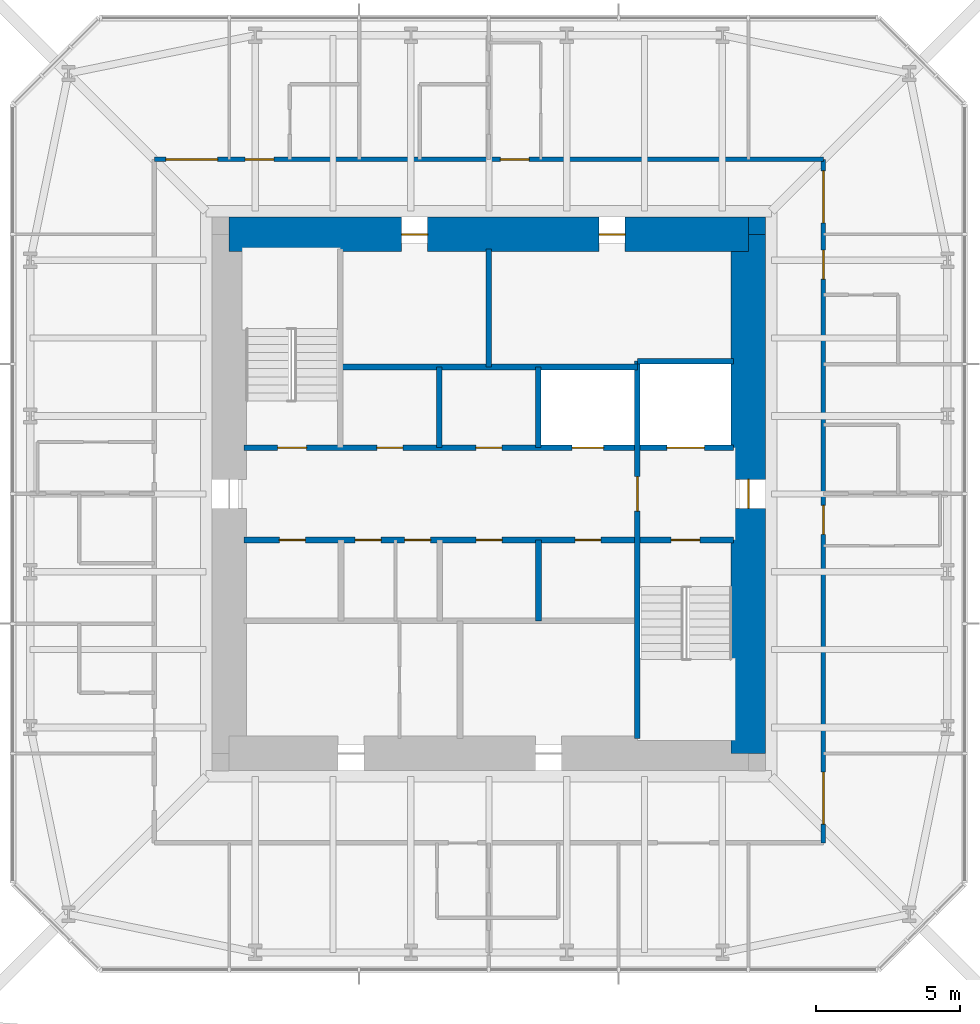
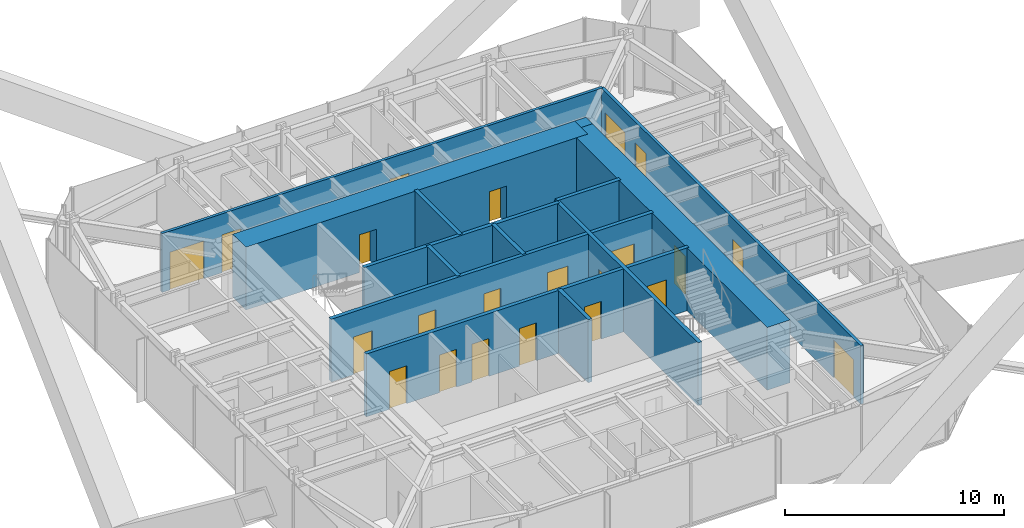
# One storey, part 9 of 11: 22 doors, 14 walls, 22 openings.
"""IFC4 building model written with IfcOpenShell, lengths in metres."""

from ifc_helpers import new_model, si_unit, direction, frame, frame_2d, origin, place, context, subcontext, project, spatial, rectangle, extrude, material, layer, layer_set, type_object, element, fill, save


model = new_model("IFC4")

# Units and contexts
model_context = context("Model", 3, precision=1e-05, world=origin(), true_north=direction((0.0, 1.0)))
body_context = subcontext(model_context, "Body", "Model", "MODEL_VIEW")
ifc_project = project(units=[si_unit("LENGTHUNIT", "METRE"), si_unit("AREAUNIT", "SQUARE_METRE"), si_unit("VOLUMEUNIT", "CUBIC_METRE"), si_unit("PLANEANGLEUNIT", "RADIAN"), si_unit("MASSUNIT", "GRAM", prefix="KILO")], contexts=[model_context])

# Site, building, storey
site_placement = place(None, origin())
site = spatial("IfcSite", under=ifc_project, at=site_placement, CompositionType="ELEMENT")
building_placement = place(site_placement, origin())
building = spatial("IfcBuilding", under=site, at=building_placement, Name="Iwan Alto Co-Living Towers", CompositionType="ELEMENT")
storey_placement = place(building_placement, frame((0.0, 0.0, 229.0)))
storey = spatial("IfcBuildingStorey", under=building, at=storey_placement, Name="L62", CompositionType="ELEMENT", Elevation=229.0)

# Wall, openings, doors
ifc_material_1 = material(Name="Gypsum board")
ifc_layer_1 = layer(ifc_material_1, 0.02490234375, Name="Board", Category="Finish")
ifc_material_2 = material(Name="Steel ASTM A1003 ST33H cold-formed studs", Category="steel")
ifc_layer_2 = layer(ifc_material_2, 0.10009765625, Name="Studs", Category="Framing")
ifc_layer_3 = layer(ifc_material_1, 0.02490234375, Name="Board", Category="Finish")
ifc_layer_set_1 = layer_set([ifc_layer_1, ifc_layer_2, ifc_layer_3], Name="CORRIDOR WALL 150")
wall_type_1 = type_object("IfcWallType", Name="CORRIDOR WALL 150", PredefinedType="PARTITIONING", material=ifc_layer_set_1)
wall_1_placement = place(storey_placement, frame((-11.60009765625, 11.60009765625, 0.0), z_axis=(0.0, 0.0, 1.0), x_axis=(1.0, 0.0, 0.0)))
wall_1 = element("IfcWall", 1, at=wall_1_placement, inside=storey, type_object=wall_type_1, Name="Partition L62", PredefinedType="PARTITIONING", context=body_context, shape_type="SweptSolid", body=[
    extrude(rectangle(XDim=23.2001953125, YDim=0.14990234375, at=frame_2d((11.60009765625, 0.0))), origin(), (0.0, 0.0, 1.0), 3.27001953125),
])
opening_1_placement = place(wall_1_placement, frame((12.0, 0.0, 0.0)))
opening_1 = element("IfcOpeningElement", 2, at=opening_1_placement, cuts=wall_1, Name="Opening D3", PredefinedType="OPENING", context=body_context, shape_type="SweptSolid", body=[
    extrude(rectangle(XDim=1.0, YDim=2.10009765625, at=frame_2d((0.5, 1.050048828125))), frame((0.0, 0.0849609375, 0.0), z_axis=(0.0, -1.0, 0.0), x_axis=(1.0, 0.0, 0.0)), (0.0, 0.0, 1.0), 0.169921875),
])
opening_2_placement = place(wall_1_placement, frame((3.14990234375, 0.0, 0.0)))
opening_2 = element("IfcOpeningElement", 3, at=opening_2_placement, cuts=wall_1, Name="Opening D3", PredefinedType="OPENING", context=body_context, shape_type="SweptSolid", body=[
    extrude(rectangle(XDim=1.0, YDim=2.10009765625, at=frame_2d((0.5, 1.050048828125))), frame((0.0, 0.0849609375, 0.0), z_axis=(0.0, -1.0, 0.0), x_axis=(1.0, 0.0, 0.0)), (0.0, 0.0, 1.0), 0.169921875),
])
opening_3_placement = place(wall_1_placement, frame((0.39990234375, 0.0, 0.0)))
opening_3 = element("IfcOpeningElement", 4, at=opening_3_placement, cuts=wall_1, Name="Opening D9", PredefinedType="OPENING", context=body_context, shape_type="SweptSolid", body=[
    extrude(rectangle(XDim=1.800048828125, YDim=2.10009765625, at=frame_2d((0.89990234375, 1.050048828125))), frame((0.0, 0.0849609375, 0.0), z_axis=(0.0, -1.0, 0.0), x_axis=(1.0, 0.0, 0.0)), (0.0, 0.0, 1.0), 0.169921875),
])
ifc_material_3 = material(Name="Steel frame with timber leaf", Category="steel")
door_type_1 = type_object("IfcDoorType", Name="FLAT ENTRANCE DOOR FD30S 1000X2100", OperationType="SINGLE_SWING_LEFT", PredefinedType="DOOR", material=ifc_material_3)
door_1_placement = place(opening_1_placement, origin())
door_1 = element("IfcDoor", 5, at=door_1_placement, inside=storey, type_object=door_type_1, Name="Apartment foyer door L62", OperationType="SINGLE_SWING_LEFT", OverallHeight=2.10009765625, OverallWidth=1.0, PredefinedType="DOOR", context=body_context, shape_type="SweptSolid", body=[
    extrude(rectangle(XDim=1.0, YDim=2.10009765625, at=frame_2d((0.5, 1.050048828125))), frame((0.0, 0.02490234375, 0.0), z_axis=(0.0, -1.0, 0.0), x_axis=(1.0, 0.0, 0.0)), (0.0, 0.0, 1.0), 0.050048828125),
])
fill(opening_1, door_1)
door_2_placement = place(opening_2_placement, origin())
door_2 = element("IfcDoor", 6, at=door_2_placement, inside=storey, type_object=door_type_1, Name="Studio door L62", OperationType="SINGLE_SWING_LEFT", OverallHeight=2.10009765625, OverallWidth=1.0, PredefinedType="DOOR", context=body_context, shape_type="SweptSolid", body=[
    extrude(rectangle(XDim=1.0, YDim=2.10009765625, at=frame_2d((0.5, 1.050048828125))), frame((0.0, 0.02490234375, 0.0), z_axis=(0.0, -1.0, 0.0), x_axis=(1.0, 0.0, 0.0)), (0.0, 0.0, 1.0), 0.050048828125),
])
fill(opening_2, door_2)
ifc_material_4 = material(Name="Steel frame with timber leaf", Category="steel")
door_type_2 = type_object("IfcDoorType", Name="LOUNGE DOOR FD30S 1800X2100", OperationType="DOUBLE_DOOR_SINGLE_SWING", PredefinedType="DOOR", material=ifc_material_4)
door_3_placement = place(opening_3_placement, origin())
door_3 = element("IfcDoor", 7, at=door_3_placement, inside=storey, type_object=door_type_2, Name="Courtyard lounge door L62", OperationType="DOUBLE_DOOR_SINGLE_SWING", OverallHeight=2.10009765625, OverallWidth=1.800048828125, PredefinedType="DOOR", context=body_context, shape_type="SweptSolid", body=[
    extrude(rectangle(XDim=1.800048828125, YDim=2.10009765625, at=frame_2d((0.89990234375, 1.050048828125))), frame((0.0, 0.02490234375, 0.0), z_axis=(0.0, -1.0, 0.0), x_axis=(1.0, 0.0, 0.0)), (0.0, 0.0, 1.0), 0.050048828125),
])
fill(opening_3, door_3)

wall_2_placement = place(storey_placement, frame((11.60009765625, -12.10009765625, 0.0), z_axis=(0.0, 0.0, 1.0), x_axis=(0.0, 1.0, 0.0)))
wall_2 = element("IfcWall", 8, at=wall_2_placement, inside=storey, type_object=wall_type_1, Name="Partition L62", PredefinedType="PARTITIONING", context=body_context, shape_type="SweptSolid", body=[
    extrude(rectangle(XDim=23.7001953125, YDim=0.14990234375, at=frame_2d((11.85009765625, 0.0))), origin(), (0.0, 0.0, 1.0), 3.27001953125),
])
opening_4_placement = place(wall_2_placement, frame((10.699951171875, 0.0, 0.0)))
opening_4 = element("IfcOpeningElement", 9, at=opening_4_placement, cuts=wall_2, Name="Opening D3", PredefinedType="OPENING", context=body_context, shape_type="SweptSolid", body=[
    extrude(rectangle(XDim=1.0, YDim=2.10009765625, at=frame_2d((0.5, 1.050048828125))), frame((0.0, 0.0849609375, 0.0), z_axis=(0.0, -1.0, 0.0), x_axis=(1.0, 0.0, 0.0)), (0.0, 0.0, 1.0), 0.169921875),
])
opening_5_placement = place(wall_2_placement, frame((19.550048828125, 0.0, 0.0)))
opening_5 = element("IfcOpeningElement", 10, at=opening_5_placement, cuts=wall_2, Name="Opening D3", PredefinedType="OPENING", context=body_context, shape_type="SweptSolid", body=[
    extrude(rectangle(XDim=1.0, YDim=2.10009765625, at=frame_2d((0.5, 1.050048828125))), frame((0.0, 0.0849609375, 0.0), z_axis=(0.0, -1.0, 0.0), x_axis=(1.0, 0.0, 0.0)), (0.0, 0.0, 1.0), 0.169921875),
])
opening_6_placement = place(wall_2_placement, frame((21.5, 0.0, 0.0)))
opening_6 = element("IfcOpeningElement", 11, at=opening_6_placement, cuts=wall_2, Name="Opening D9", PredefinedType="OPENING", context=body_context, shape_type="SweptSolid", body=[
    extrude(rectangle(XDim=1.800048828125, YDim=2.10009765625, at=frame_2d((0.89990234375, 1.050048828125))), frame((0.0, 0.0849609375, 0.0), z_axis=(0.0, -1.0, 0.0), x_axis=(1.0, 0.0, 0.0)), (0.0, 0.0, 1.0), 0.169921875),
])
opening_7_placement = place(wall_2_placement, frame((0.64990234375, 0.0, 0.0)))
opening_7 = element("IfcOpeningElement", 12, at=opening_7_placement, cuts=wall_2, Name="Opening D9", PredefinedType="OPENING", context=body_context, shape_type="SweptSolid", body=[
    extrude(rectangle(XDim=1.800048828125, YDim=2.10009765625, at=frame_2d((0.89990234375, 1.050048828125))), frame((0.0, 0.0849609375, 0.0), z_axis=(0.0, -1.0, 0.0), x_axis=(1.0, 0.0, 0.0)), (0.0, 0.0, 1.0), 0.169921875),
])
door_4_placement = place(opening_4_placement, frame((1.0, 0.0, 0.0), z_axis=(0.0, 0.0, 1.0), x_axis=(-1.0, 0.0, 0.0)))
door_4 = element("IfcDoor", 13, at=door_4_placement, inside=storey, type_object=door_type_1, Name="Apartment foyer door L62", OperationType="SINGLE_SWING_RIGHT", OverallHeight=2.10009765625, OverallWidth=1.0, PredefinedType="DOOR", context=body_context, shape_type="SweptSolid", body=[
    extrude(rectangle(XDim=1.0, YDim=2.10009765625, at=frame_2d((0.5, 1.050048828125))), frame((0.0, 0.02490234375, 0.0), z_axis=(0.0, -1.0, 0.0), x_axis=(1.0, 0.0, 0.0)), (0.0, 0.0, 1.0), 0.050048828125),
])
fill(opening_4, door_4)
door_5_placement = place(opening_5_placement, frame((1.0, 0.0, 0.0), z_axis=(0.0, 0.0, 1.0), x_axis=(-1.0, 0.0, 0.0)))
door_5 = element("IfcDoor", 14, at=door_5_placement, inside=storey, type_object=door_type_1, Name="Studio door L62", OperationType="SINGLE_SWING_RIGHT", OverallHeight=2.10009765625, OverallWidth=1.0, PredefinedType="DOOR", context=body_context, shape_type="SweptSolid", body=[
    extrude(rectangle(XDim=1.0, YDim=2.10009765625, at=frame_2d((0.5, 1.050048828125))), frame((0.0, 0.02490234375, 0.0), z_axis=(0.0, -1.0, 0.0), x_axis=(1.0, 0.0, 0.0)), (0.0, 0.0, 1.0), 0.050048828125),
])
fill(opening_5, door_5)
door_6_placement = place(opening_6_placement, frame((1.800048828125, 0.0, 0.0), z_axis=(0.0, 0.0, 1.0), x_axis=(-1.0, 0.0, 0.0)))
door_6 = element("IfcDoor", 15, at=door_6_placement, inside=storey, type_object=door_type_2, Name="Study lounge door L62", OperationType="DOUBLE_DOOR_SINGLE_SWING", OverallHeight=2.10009765625, OverallWidth=1.800048828125, PredefinedType="DOOR", context=body_context, shape_type="SweptSolid", body=[
    extrude(rectangle(XDim=1.800048828125, YDim=2.10009765625, at=frame_2d((0.89990234375, 1.050048828125))), frame((0.0, 0.02490234375, 0.0), z_axis=(0.0, -1.0, 0.0), x_axis=(1.0, 0.0, 0.0)), (0.0, 0.0, 1.0), 0.050048828125),
])
fill(opening_6, door_6)
door_7_placement = place(opening_7_placement, frame((1.800048828125, 0.0, 0.0), z_axis=(0.0, 0.0, 1.0), x_axis=(-1.0, 0.0, 0.0)))
door_7 = element("IfcDoor", 16, at=door_7_placement, inside=storey, type_object=door_type_2, Name="Courtyard lounge door L62", OperationType="DOUBLE_DOOR_SINGLE_SWING", OverallHeight=2.10009765625, OverallWidth=1.800048828125, PredefinedType="DOOR", context=body_context, shape_type="SweptSolid", body=[
    extrude(rectangle(XDim=1.800048828125, YDim=2.10009765625, at=frame_2d((0.89990234375, 1.050048828125))), frame((0.0, 0.02490234375, 0.0), z_axis=(0.0, -1.0, 0.0), x_axis=(1.0, 0.0, 0.0)), (0.0, 0.0, 1.0), 0.050048828125),
])
fill(opening_7, door_7)

ifc_material_5 = material(Name="Concrete f'c 70 MPa", Category="concrete")
ifc_layer_4 = layer(ifc_material_5, 0.199951171875)
ifc_layer_set_2 = layer_set([ifc_layer_4], Name="SHAFT WALL 200")
wall_type_2 = type_object("IfcWallType", Name="SHAFT WALL 200", PredefinedType="SOLIDWALL", material=ifc_layer_set_2)
wall_3_placement = place(storey_placement, frame((-8.489990234375, -1.60009765625, 0.0), z_axis=(0.0, 0.0, 1.0), x_axis=(1.0, 0.0, 0.0)))
wall_3 = element("IfcWall", 17, at=wall_3_placement, inside=storey, type_object=wall_type_2, Name="Shaft wall L62", PredefinedType="SOLIDWALL", context=body_context, shape_type="SweptSolid", body=[
    extrude(rectangle(XDim=16.97998046875, YDim=0.199951171875, at=frame_2d((8.489990234375, 0.0))), origin(), (0.0, 0.0, 1.0), 3.5),
])
opening_8_placement = place(wall_3_placement, frame((14.81005859375, 0.0, 0.0)))
opening_8 = element("IfcOpeningElement", 18, at=opening_8_placement, cuts=wall_3, Name="Opening D5", PredefinedType="OPENING", context=body_context, shape_type="SweptSolid", body=[
    extrude(rectangle(XDim=1.0, YDim=2.10009765625, at=frame_2d((0.5, 1.050048828125))), frame((0.0, 0.10986328125, 0.0), z_axis=(0.0, -1.0, 0.0), x_axis=(1.0, 0.0, 0.0)), (0.0, 0.0, 1.0), 0.219970703125),
])
opening_9_placement = place(wall_3_placement, frame((1.23193359375, 0.0, 0.0)))
opening_9 = element("IfcOpeningElement", 19, at=opening_9_placement, cuts=wall_3, Name="Opening D15", PredefinedType="OPENING", context=body_context, shape_type="SweptSolid", body=[
    extrude(rectangle(XDim=0.89990234375, YDim=2.10009765625, at=frame_2d((0.449951171875, 1.050048828125))), frame((0.0, 0.10986328125, 0.0), z_axis=(0.0, -1.0, 0.0), x_axis=(1.0, 0.0, 0.0)), (0.0, 0.0, 1.0), 0.219970703125),
])
opening_10_placement = place(wall_3_placement, frame((5.570068359375, 0.0, 0.0)))
opening_10 = element("IfcOpeningElement", 20, at=opening_10_placement, cuts=wall_3, Name="Opening D15", PredefinedType="OPENING", context=body_context, shape_type="SweptSolid", body=[
    extrude(rectangle(XDim=0.89990234375, YDim=2.10009765625, at=frame_2d((0.449951171875, 1.050048828125))), frame((0.0, 0.10986328125, 0.0), z_axis=(0.0, -1.0, 0.0), x_axis=(1.0, 0.0, 0.0)), (0.0, 0.0, 1.0), 0.219970703125),
])
opening_11_placement = place(wall_3_placement, frame((3.85693359375, 0.0, 0.0)))
opening_11 = element("IfcOpeningElement", 21, at=opening_11_placement, cuts=wall_3, Name="Opening D15", PredefinedType="OPENING", context=body_context, shape_type="SweptSolid", body=[
    extrude(rectangle(XDim=0.89990234375, YDim=2.10009765625, at=frame_2d((0.449951171875, 1.050048828125))), frame((0.0, 0.10986328125, 0.0), z_axis=(0.0, -1.0, 0.0), x_axis=(1.0, 0.0, 0.0)), (0.0, 0.0, 1.0), 0.219970703125),
])
opening_12_placement = place(wall_3_placement, frame((8.052001953125, 0.0, 0.0)))
opening_12 = element("IfcOpeningElement", 22, at=opening_12_placement, cuts=wall_3, Name="Opening D15", PredefinedType="OPENING", context=body_context, shape_type="SweptSolid", body=[
    extrude(rectangle(XDim=0.89990234375, YDim=2.10009765625, at=frame_2d((0.449951171875, 1.050048828125))), frame((0.0, 0.10986328125, 0.0), z_axis=(0.0, -1.0, 0.0), x_axis=(1.0, 0.0, 0.0)), (0.0, 0.0, 1.0), 0.219970703125),
])
opening_13_placement = place(wall_3_placement, frame((11.47802734375, 0.0, 0.0)))
opening_13 = element("IfcOpeningElement", 23, at=opening_13_placement, cuts=wall_3, Name="Opening D15", PredefinedType="OPENING", context=body_context, shape_type="SweptSolid", body=[
    extrude(rectangle(XDim=0.89990234375, YDim=2.10009765625, at=frame_2d((0.449951171875, 1.050048828125))), frame((0.0, 0.10986328125, 0.0), z_axis=(0.0, -1.0, 0.0), x_axis=(1.0, 0.0, 0.0)), (0.0, 0.0, 1.0), 0.219970703125),
])
ifc_material_6 = material(Name="Steel frame with timber leaf", Category="steel")
door_type_3 = type_object("IfcDoorType", Name="CORE ROOM DOOR FD60S 900X2100", OperationType="SINGLE_SWING_LEFT", PredefinedType="DOOR", material=ifc_material_6)
door_8_placement = place(opening_9_placement, frame((0.89990234375, 0.0, 0.0), z_axis=(0.0, 0.0, 1.0), x_axis=(-1.0, 0.0, 0.0)))
door_8 = element("IfcDoor", 24, at=door_8_placement, inside=storey, type_object=door_type_3, Name="Housekeeping store door L62", OperationType="SINGLE_SWING_LEFT", OverallHeight=2.10009765625, OverallWidth=0.89990234375, PredefinedType="DOOR", context=body_context, shape_type="SweptSolid", body=[
    extrude(rectangle(XDim=0.89990234375, YDim=2.10009765625, at=frame_2d((0.449951171875, 1.050048828125))), frame((0.0, 0.02490234375, 0.0), z_axis=(0.0, -1.0, 0.0), x_axis=(1.0, 0.0, 0.0)), (0.0, 0.0, 1.0), 0.050048828125),
])
fill(opening_9, door_8)
door_9_placement = place(opening_10_placement, frame((0.89990234375, 0.0, 0.0), z_axis=(0.0, 0.0, 1.0), x_axis=(-1.0, 0.0, 0.0)))
door_9 = element("IfcDoor", 25, at=door_9_placement, inside=storey, type_object=door_type_3, Name="Linen store door L62", OperationType="SINGLE_SWING_RIGHT", OverallHeight=2.10009765625, OverallWidth=0.89990234375, PredefinedType="DOOR", context=body_context, shape_type="SweptSolid", body=[
    extrude(rectangle(XDim=0.89990234375, YDim=2.10009765625, at=frame_2d((0.449951171875, 1.050048828125))), frame((0.0, 0.02490234375, 0.0), z_axis=(0.0, -1.0, 0.0), x_axis=(1.0, 0.0, 0.0)), (0.0, 0.0, 1.0), 0.050048828125),
])
fill(opening_10, door_9)
door_10_placement = place(opening_11_placement, frame((0.89990234375, 0.0, 0.0), z_axis=(0.0, 0.0, 1.0), x_axis=(-1.0, 0.0, 0.0)))
door_10 = element("IfcDoor", 26, at=door_10_placement, inside=storey, type_object=door_type_3, Name="Cleaner's store door L62", OperationType="SINGLE_SWING_RIGHT", OverallHeight=2.10009765625, OverallWidth=0.89990234375, PredefinedType="DOOR", context=body_context, shape_type="SweptSolid", body=[
    extrude(rectangle(XDim=0.89990234375, YDim=2.10009765625, at=frame_2d((0.449951171875, 1.050048828125))), frame((0.0, 0.02490234375, 0.0), z_axis=(0.0, -1.0, 0.0), x_axis=(1.0, 0.0, 0.0)), (0.0, 0.0, 1.0), 0.050048828125),
])
fill(opening_11, door_10)
door_11_placement = place(opening_12_placement, frame((0.89990234375, 0.0, 0.0), z_axis=(0.0, 0.0, 1.0), x_axis=(-1.0, 0.0, 0.0)))
door_11 = element("IfcDoor", 27, at=door_11_placement, inside=storey, type_object=door_type_3, Name="Guest pantry door L62", OperationType="SINGLE_SWING_RIGHT", OverallHeight=2.10009765625, OverallWidth=0.89990234375, PredefinedType="DOOR", context=body_context, shape_type="SweptSolid", body=[
    extrude(rectangle(XDim=0.89990234375, YDim=2.10009765625, at=frame_2d((0.449951171875, 1.050048828125))), frame((0.0, 0.02490234375, 0.0), z_axis=(0.0, -1.0, 0.0), x_axis=(1.0, 0.0, 0.0)), (0.0, 0.0, 1.0), 0.050048828125),
])
fill(opening_12, door_11)
door_12_placement = place(opening_13_placement, frame((0.89990234375, 0.0, 0.0), z_axis=(0.0, 0.0, 1.0), x_axis=(-1.0, 0.0, 0.0)))
door_12 = element("IfcDoor", 28, at=door_12_placement, inside=storey, type_object=door_type_3, Name="Vending and ice room door L62", OperationType="SINGLE_SWING_RIGHT", OverallHeight=2.10009765625, OverallWidth=0.89990234375, PredefinedType="DOOR", context=body_context, shape_type="SweptSolid", body=[
    extrude(rectangle(XDim=0.89990234375, YDim=2.10009765625, at=frame_2d((0.449951171875, 1.050048828125))), frame((0.0, 0.02490234375, 0.0), z_axis=(0.0, -1.0, 0.0), x_axis=(1.0, 0.0, 0.0)), (0.0, 0.0, 1.0), 0.050048828125),
])
fill(opening_13, door_12)
ifc_material_7 = material(Name="Steel frame with timber leaf", Category="steel")
door_type_4 = type_object("IfcDoorType", Name="STAIR DOOR FD120S 1000X2100", OperationType="SINGLE_SWING_LEFT", PredefinedType="DOOR", material=ifc_material_7)
door_13_placement = place(opening_8_placement, frame((1.0, 0.0, 0.0), z_axis=(0.0, 0.0, 1.0), x_axis=(-1.0, 0.0, 0.0)))
door_13 = element("IfcDoor", 29, at=door_13_placement, inside=storey, type_object=door_type_4, Name="Stair S2 door L62", OperationType="SINGLE_SWING_RIGHT", OverallHeight=2.10009765625, OverallWidth=1.0, PredefinedType="DOOR", context=body_context, shape_type="SweptSolid", body=[
    extrude(rectangle(XDim=1.0, YDim=2.10009765625, at=frame_2d((0.5, 1.050048828125))), frame((0.0, 0.02490234375, 0.0), z_axis=(0.0, -1.0, 0.0), x_axis=(1.0, 0.0, 0.0)), (0.0, 0.0, 1.0), 0.050048828125),
])
fill(opening_8, door_13)

wall_4_placement = place(storey_placement, frame((-8.489990234375, 1.60009765625, 0.0), z_axis=(0.0, 0.0, 1.0), x_axis=(1.0, 0.0, 0.0)))
wall_4 = element("IfcWall", 30, at=wall_4_placement, inside=storey, type_object=wall_type_2, Name="Shaft wall L62", PredefinedType="SOLIDWALL", context=body_context, shape_type="SweptSolid", body=[
    extrude(rectangle(XDim=16.97998046875, YDim=0.199951171875, at=frame_2d((8.489990234375, 0.0))), origin(), (0.0, 0.0, 1.0), 3.5),
])
opening_14_placement = place(wall_4_placement, frame((1.169921875, 0.0, 0.0)))
opening_14 = element("IfcOpeningElement", 31, at=opening_14_placement, cuts=wall_4, Name="Opening D5", PredefinedType="OPENING", context=body_context, shape_type="SweptSolid", body=[
    extrude(rectangle(XDim=1.0, YDim=2.10009765625, at=frame_2d((0.5, 1.050048828125))), frame((0.0, 0.10986328125, 0.0), z_axis=(0.0, -1.0, 0.0), x_axis=(1.0, 0.0, 0.0)), (0.0, 0.0, 1.0), 0.219970703125),
])
opening_15_placement = place(wall_4_placement, frame((4.60595703125, 0.0, 0.0)))
opening_15 = element("IfcOpeningElement", 32, at=opening_15_placement, cuts=wall_4, Name="Opening D15", PredefinedType="OPENING", context=body_context, shape_type="SweptSolid", body=[
    extrude(rectangle(XDim=0.89990234375, YDim=2.10009765625, at=frame_2d((0.449951171875, 1.050048828125))), frame((0.0, 0.10986328125, 0.0), z_axis=(0.0, -1.0, 0.0), x_axis=(1.0, 0.0, 0.0)), (0.0, 0.0, 1.0), 0.219970703125),
])
opening_16_placement = place(wall_4_placement, frame((8.0400390625, 0.0, 0.0)))
opening_16 = element("IfcOpeningElement", 33, at=opening_16_placement, cuts=wall_4, Name="Opening D15", PredefinedType="OPENING", context=body_context, shape_type="SweptSolid", body=[
    extrude(rectangle(XDim=0.89990234375, YDim=2.10009765625, at=frame_2d((0.449951171875, 1.050048828125))), frame((0.0, 0.10986328125, 0.0), z_axis=(0.0, -1.0, 0.0), x_axis=(1.0, 0.0, 0.0)), (0.0, 0.0, 1.0), 0.219970703125),
])
opening_17_placement = place(wall_4_placement, frame((11.3740234375, 0.0, 0.0)))
opening_17 = element("IfcOpeningElement", 34, at=opening_17_placement, cuts=wall_4, Name="Opening LD", PredefinedType="OPENING", context=body_context, shape_type="SweptSolid", body=[
    extrude(rectangle(XDim=1.10009765625, YDim=2.10009765625, at=frame_2d((0.550048828125, 1.050048828125))), frame((0.0, 0.10986328125, 0.0), z_axis=(0.0, -1.0, 0.0), x_axis=(1.0, 0.0, 0.0)), (0.0, 0.0, 1.0), 0.219970703125),
])
opening_18_placement = place(wall_4_placement, frame((14.659912109375, 0.0, 0.0)))
opening_18 = element("IfcOpeningElement", 35, at=opening_18_placement, cuts=wall_4, Name="Opening LD2", PredefinedType="OPENING", context=body_context, shape_type="SweptSolid", body=[
    extrude(rectangle(XDim=1.300048828125, YDim=2.10009765625, at=frame_2d((0.64990234375, 1.050048828125))), frame((0.0, 0.10986328125, 0.0), z_axis=(0.0, -1.0, 0.0), x_axis=(1.0, 0.0, 0.0)), (0.0, 0.0, 1.0), 0.219970703125),
])
door_14_placement = place(opening_15_placement, origin())
door_14 = element("IfcDoor", 36, at=door_14_placement, inside=storey, type_object=door_type_3, Name="Linen store door L62", OperationType="SINGLE_SWING_LEFT", OverallHeight=2.10009765625, OverallWidth=0.89990234375, PredefinedType="DOOR", context=body_context, shape_type="SweptSolid", body=[
    extrude(rectangle(XDim=0.89990234375, YDim=2.10009765625, at=frame_2d((0.449951171875, 1.050048828125))), frame((0.0, 0.02490234375, 0.0), z_axis=(0.0, -1.0, 0.0), x_axis=(1.0, 0.0, 0.0)), (0.0, 0.0, 1.0), 0.050048828125),
])
fill(opening_15, door_14)
door_15_placement = place(opening_16_placement, origin())
door_15 = element("IfcDoor", 37, at=door_15_placement, inside=storey, type_object=door_type_3, Name="Staff WC door L62", OperationType="SINGLE_SWING_LEFT", OverallHeight=2.10009765625, OverallWidth=0.89990234375, PredefinedType="DOOR", context=body_context, shape_type="SweptSolid", body=[
    extrude(rectangle(XDim=0.89990234375, YDim=2.10009765625, at=frame_2d((0.449951171875, 1.050048828125))), frame((0.0, 0.02490234375, 0.0), z_axis=(0.0, -1.0, 0.0), x_axis=(1.0, 0.0, 0.0)), (0.0, 0.0, 1.0), 0.050048828125),
])
fill(opening_16, door_15)
ifc_material_8 = material(Name="Steel frame with timber leaf", Category="steel")
door_type_5 = type_object("IfcDoorType", Name="LIFT LANDING DOOR 1100X2100", OperationType="DOUBLE_DOOR_SLIDING", PredefinedType="DOOR", material=ifc_material_8)
door_16_placement = place(opening_17_placement, origin())
door_16 = element("IfcDoor", 38, at=door_16_placement, inside=storey, type_object=door_type_5, Name="Lift P4-3 landing door L62", OperationType="DOUBLE_DOOR_SLIDING", OverallHeight=2.10009765625, OverallWidth=1.10009765625, PredefinedType="DOOR", context=body_context, shape_type="SweptSolid", body=[
    extrude(rectangle(XDim=1.10009765625, YDim=2.10009765625, at=frame_2d((0.550048828125, 1.050048828125))), frame((0.0, 0.02490234375, 0.0), z_axis=(0.0, -1.0, 0.0), x_axis=(1.0, 0.0, 0.0)), (0.0, 0.0, 1.0), 0.050048828125),
])
fill(opening_17, door_16)
ifc_material_9 = material(Name="Steel frame with timber leaf", Category="steel")
door_type_6 = type_object("IfcDoorType", Name="LIFT LANDING DOOR 1300X2100", OperationType="SLIDING_TO_LEFT", PredefinedType="DOOR", material=ifc_material_9)
door_17_placement = place(opening_18_placement, origin())
door_17 = element("IfcDoor", 39, at=door_17_placement, inside=storey, type_object=door_type_6, Name="Lift FL1 landing door L62", OperationType="SLIDING_TO_LEFT", OverallHeight=2.10009765625, OverallWidth=1.300048828125, PredefinedType="DOOR", context=body_context, shape_type="SweptSolid", body=[
    extrude(rectangle(XDim=1.300048828125, YDim=2.10009765625, at=frame_2d((0.64990234375, 1.050048828125))), frame((0.0, 0.02490234375, 0.0), z_axis=(0.0, -1.0, 0.0), x_axis=(1.0, 0.0, 0.0)), (0.0, 0.0, 1.0), 0.050048828125),
])
fill(opening_18, door_17)
door_18_placement = place(opening_14_placement, origin())
door_18 = element("IfcDoor", 40, at=door_18_placement, inside=storey, type_object=door_type_4, Name="Stair S1 door L62", OperationType="SINGLE_SWING_RIGHT", OverallHeight=2.10009765625, OverallWidth=1.0, PredefinedType="DOOR", context=body_context, shape_type="SweptSolid", body=[
    extrude(rectangle(XDim=1.0, YDim=2.10009765625, at=frame_2d((0.5, 1.050048828125))), frame((0.0, 0.02490234375, 0.0), z_axis=(0.0, -1.0, 0.0), x_axis=(1.0, 0.0, 0.0)), (0.0, 0.0, 1.0), 0.050048828125),
])
fill(opening_14, door_18)

# Walls
wall_5_placement = place(storey_placement, frame((-5.14990234375, 4.39990234375, 0.0), z_axis=(0.0, 0.0, 1.0), x_axis=(1.0, 0.0, 0.0)))
element("IfcWall", 41, at=wall_5_placement, inside=storey, type_object=wall_type_2, Name="Shaft wall L62", PredefinedType="SOLIDWALL", context=body_context, shape_type="SweptSolid", body=[
    extrude(rectangle(XDim=10.2998046875, YDim=0.199951171875, at=frame_2d((5.14990234375, 0.0))), origin(), (0.0, 0.0, 1.0), 3.5),
])
wall_6_placement = place(storey_placement, frame((5.14990234375, 4.60009765625, 0.0), z_axis=(0.0, 0.0, 1.0), x_axis=(1.0, 0.0, 0.0)))
element("IfcWall", 42, at=wall_6_placement, inside=storey, type_object=wall_type_2, Name="Shaft wall L62", PredefinedType="SOLIDWALL", context=body_context, shape_type="SweptSolid", body=[
    extrude(rectangle(XDim=3.340087890625, YDim=0.199951171875, at=frame_2d((1.669921875, 0.0))), origin(), (0.0, 0.0, 1.0), 3.5),
])

# Wall, opening, door
wall_7_placement = place(storey_placement, frame((5.14990234375, -8.489990234375, 0.0), z_axis=(0.0, 0.0, 1.0), x_axis=(0.0, 1.0, 0.0)))
wall_7 = element("IfcWall", 43, at=wall_7_placement, inside=storey, type_object=wall_type_2, Name="Shaft wall L62", PredefinedType="SOLIDWALL", context=body_context, shape_type="SweptSolid", body=[
    extrude(rectangle(XDim=13.090087890625, YDim=0.199951171875, at=frame_2d((6.544921875, 0.0))), origin(), (0.0, 0.0, 1.0), 3.5),
])
opening_19_placement = place(wall_7_placement, frame((7.889892578125, 0.0, 0.0)))
opening_19 = element("IfcOpeningElement", 44, at=opening_19_placement, cuts=wall_7, Name="Opening D6", PredefinedType="OPENING", context=body_context, shape_type="SweptSolid", body=[
    extrude(rectangle(XDim=1.199951171875, YDim=2.10009765625, at=frame_2d((0.60009765625, 1.050048828125))), frame((0.0, 0.10986328125, 0.0), z_axis=(0.0, -1.0, 0.0), x_axis=(1.0, 0.0, 0.0)), (0.0, 0.0, 1.0), 0.219970703125),
])
ifc_material_10 = material(Name="Steel frame with timber leaf", Category="steel")
door_type_7 = type_object("IfcDoorType", Name="LOBBY DOOR FD120S 1200X2100", OperationType="SINGLE_SWING_LEFT", PredefinedType="DOOR", material=ifc_material_10)
door_19_placement = place(opening_19_placement, frame((1.199951171875, 0.0, 0.0), z_axis=(0.0, 0.0, 1.0), x_axis=(-1.0, 0.0, 0.0)))
door_19 = element("IfcDoor", 45, at=door_19_placement, inside=storey, type_object=door_type_7, Name="Firefighting lobby door L62", OperationType="SINGLE_SWING_RIGHT", OverallHeight=2.10009765625, OverallWidth=1.199951171875, PredefinedType="DOOR", context=body_context, shape_type="SweptSolid", body=[
    extrude(rectangle(XDim=1.199951171875, YDim=2.10009765625, at=frame_2d((0.60009765625, 1.050048828125))), frame((0.0, 0.02490234375, 0.0), z_axis=(0.0, -1.0, 0.0), x_axis=(1.0, 0.0, 0.0)), (0.0, 0.0, 1.0), 0.050048828125),
])
fill(opening_19, door_19)

# Walls
for number, where, z_axis, x_axis, name in (
    (46, (1.72509765625, -4.39990234375, 0.0), (0.0, 0.0, 1.0), (0.0, 1.0, 0.0), "Shaft wall L62"),
    (47, (1.717041015625, 1.60009765625, 0.0), (0.0, 0.0, 1.0), (0.0, 1.0, 0.0), "Shaft wall L62"),
):
    element("IfcWall", number, at=place(storey_placement, frame(where, z_axis=z_axis, x_axis=x_axis)), inside=storey, type_object=wall_type_2, Name=name, PredefinedType="SOLIDWALL", context=body_context, shape_type="SweptSolid", body=[
        extrude(rectangle(XDim=2.7998046875, YDim=0.199951171875, at=frame_2d((1.39990234375, 0.0))), origin(), (0.0, 0.0, 1.0), 3.5),
    ])
wall_8_placement = place(storey_placement, frame((0.0, 4.39990234375, 0.0), z_axis=(0.0, 0.0, 1.0), x_axis=(0.0, 1.0, 0.0)))
element("IfcWall", 48, at=wall_8_placement, inside=storey, type_object=wall_type_2, Name="Shaft wall L62", PredefinedType="SOLIDWALL", context=body_context, shape_type="SweptSolid", body=[
    extrude(rectangle(XDim=4.090087890625, YDim=0.199951171875, at=frame_2d((2.044921875, 0.0))), origin(), (0.0, 0.0, 1.0), 3.5),
])
wall_9_placement = place(storey_placement, frame((-1.717041015625, 1.60009765625, 0.0), z_axis=(0.0, 0.0, 1.0), x_axis=(0.0, 1.0, 0.0)))
element("IfcWall", 49, at=wall_9_placement, inside=storey, type_object=wall_type_2, Name="Shaft wall L62", PredefinedType="SOLIDWALL", context=body_context, shape_type="SweptSolid", body=[
    extrude(rectangle(XDim=2.7998046875, YDim=0.199951171875, at=frame_2d((1.39990234375, 0.0))), origin(), (0.0, 0.0, 1.0), 3.5),
])
ifc_material_11 = material(Name="Concrete f'c 70 MPa", Category="concrete")
ifc_layer_5 = layer(ifc_material_11, 0.60009765625)
ifc_layer_set_3 = layer_set([ifc_layer_5], Name="T1 CORE CORNER FILL 600")
wall_type_3 = type_object("IfcWallType", Name="T1 CORE CORNER FILL 600", PredefinedType="SOLIDWALL", material=ifc_layer_set_3)
wall_10_placement = place(storey_placement, frame((9.0, 9.300048828125, 0.0), z_axis=(0.0, 0.0, 1.0), x_axis=(1.0, 0.0, 0.0)))
element("IfcWall", 50, at=wall_10_placement, inside=storey, type_object=wall_type_3, Name="T1 core corner NE L62", PredefinedType="SOLIDWALL", context=body_context, shape_type="SweptSolid", body=[
    extrude(rectangle(XDim=0.60009765625, YDim=0.60009765625, at=frame_2d((0.300048828125, 0.0))), origin(), (0.0, 0.0, 1.0), 3.5),
])

# Wall, openings, doors
ifc_material_12 = material(Name="Concrete f'c 70 MPa", Category="concrete")
ifc_layer_6 = layer(ifc_material_12, 1.199951171875)
ifc_layer_set_4 = layer_set([ifc_layer_6], Name="T1 CORE WALL 1200")
wall_type_4 = type_object("IfcWallType", Name="T1 CORE WALL 1200", PredefinedType="SHEAR", material=ifc_layer_set_4)
wall_11_placement = place(storey_placement, frame((9.0, 9.0, 0.0), z_axis=(0.0, 0.0, 1.0), x_axis=(-1.0, 0.0, 0.0)))
wall_11 = element("IfcWall", 51, at=wall_11_placement, inside=storey, type_object=wall_type_4, Name="T1 core wall N L62", PredefinedType="SHEAR", context=body_context, shape_type="SweptSolid", body=[
    extrude(rectangle(XDim=18.0, YDim=1.199951171875, at=frame_2d((9.0, 0.0))), origin(), (0.0, 0.0, 1.0), 3.5),
])
opening_20_placement = place(wall_11_placement, frame((11.125, 0.0, 0.0)))
opening_20 = element("IfcOpeningElement", 52, at=opening_20_placement, cuts=wall_11, Name="Opening D8", PredefinedType="OPENING", context=body_context, shape_type="SweptSolid", body=[
    extrude(rectangle(XDim=0.89990234375, YDim=2.10009765625, at=frame_2d((0.449951171875, 1.050048828125))), frame((0.0, 0.60986328125, 0.0), z_axis=(0.0, -1.0, 0.0), x_axis=(1.0, 0.0, 0.0)), (0.0, 0.0, 1.0), 1.219970703125),
])
opening_21_placement = place(wall_11_placement, frame((4.27490234375, 0.0, 0.0)))
opening_21 = element("IfcOpeningElement", 53, at=opening_21_placement, cuts=wall_11, Name="Opening D8", PredefinedType="OPENING", context=body_context, shape_type="SweptSolid", body=[
    extrude(rectangle(XDim=0.89990234375, YDim=2.10009765625, at=frame_2d((0.449951171875, 1.050048828125))), frame((0.0, 0.60986328125, 0.0), z_axis=(0.0, -1.0, 0.0), x_axis=(1.0, 0.0, 0.0)), (0.0, 0.0, 1.0), 1.219970703125),
])
ifc_material_13 = material(Name="Steel frame with timber leaf", Category="steel")
door_type_8 = type_object("IfcDoorType", Name="RISER DOOR FD120 900X2100", OperationType="SINGLE_SWING_LEFT", PredefinedType="DOOR", material=ifc_material_13)
door_20_placement = place(opening_20_placement, origin())
door_20 = element("IfcDoor", 54, at=door_20_placement, inside=storey, type_object=door_type_8, Name="Electrical riser core door L62", OperationType="SINGLE_SWING_RIGHT", OverallHeight=2.10009765625, OverallWidth=0.89990234375, PredefinedType="DOOR", context=body_context, shape_type="SweptSolid", body=[
    extrude(rectangle(XDim=0.89990234375, YDim=2.10009765625, at=frame_2d((0.449951171875, 1.050048828125))), frame((0.0, 0.02490234375, 0.0), z_axis=(0.0, -1.0, 0.0), x_axis=(1.0, 0.0, 0.0)), (0.0, 0.0, 1.0), 0.050048828125),
])
fill(opening_20, door_20)
door_21_placement = place(opening_21_placement, origin())
door_21 = element("IfcDoor", 55, at=door_21_placement, inside=storey, type_object=door_type_8, Name="Water and drainage riser core door L62", OperationType="SINGLE_SWING_RIGHT", OverallHeight=2.10009765625, OverallWidth=0.89990234375, PredefinedType="DOOR", context=body_context, shape_type="SweptSolid", body=[
    extrude(rectangle(XDim=0.89990234375, YDim=2.10009765625, at=frame_2d((0.449951171875, 1.050048828125))), frame((0.0, 0.02490234375, 0.0), z_axis=(0.0, -1.0, 0.0), x_axis=(1.0, 0.0, 0.0)), (0.0, 0.0, 1.0), 0.050048828125),
])
fill(opening_21, door_21)

# Wall, opening, door
wall_12_placement = place(storey_placement, frame((9.0, -9.0, 0.0), z_axis=(0.0, 0.0, 1.0), x_axis=(0.0, 1.0, 0.0)))
wall_12 = element("IfcWall", 56, at=wall_12_placement, inside=storey, type_object=wall_type_4, Name="T1 core wall E L62", PredefinedType="SHEAR", context=body_context, shape_type="SweptSolid", body=[
    extrude(rectangle(XDim=18.0, YDim=1.199951171875, at=frame_2d((9.0, 0.0))), origin(), (0.0, 0.0, 1.0), 3.5),
])
opening_22_placement = place(wall_12_placement, frame((8.5, 0.0, 0.0)))
opening_22 = element("IfcOpeningElement", 57, at=opening_22_placement, cuts=wall_12, Name="Opening D7", PredefinedType="OPENING", context=body_context, shape_type="SweptSolid", body=[
    extrude(rectangle(XDim=1.0, YDim=2.10009765625, at=frame_2d((0.5, 1.050048828125))), frame((0.0, 0.60986328125, 0.0), z_axis=(0.0, -1.0, 0.0), x_axis=(1.0, 0.0, 0.0)), (0.0, 0.0, 1.0), 1.219970703125),
])
ifc_material_14 = material(Name="Steel frame with timber leaf", Category="steel")
door_type_9 = type_object("IfcDoorType", Name="CORE DOOR FD120S 1000X2100", OperationType="SINGLE_SWING_LEFT", PredefinedType="DOOR", material=ifc_material_14)
door_22_placement = place(opening_22_placement, origin())
door_22 = element("IfcDoor", 58, at=door_22_placement, inside=storey, type_object=door_type_9, Name="Firefighting lobby core door L62", OperationType="SINGLE_SWING_LEFT", OverallHeight=2.10009765625, OverallWidth=1.0, PredefinedType="DOOR", context=body_context, shape_type="SweptSolid", body=[
    extrude(rectangle(XDim=1.0, YDim=2.10009765625, at=frame_2d((0.5, 1.050048828125))), frame((0.0, 0.02490234375, 0.0), z_axis=(0.0, -1.0, 0.0), x_axis=(1.0, 0.0, 0.0)), (0.0, 0.0, 1.0), 0.050048828125),
])
fill(opening_22, door_22)

save(model, "model.ifc")
